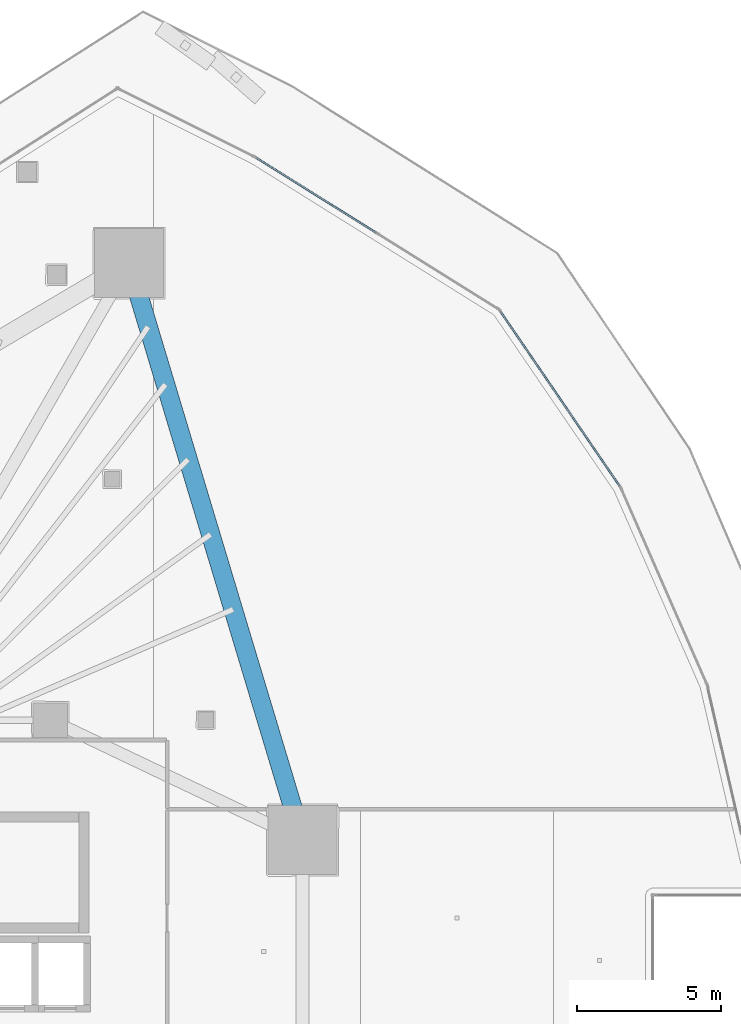
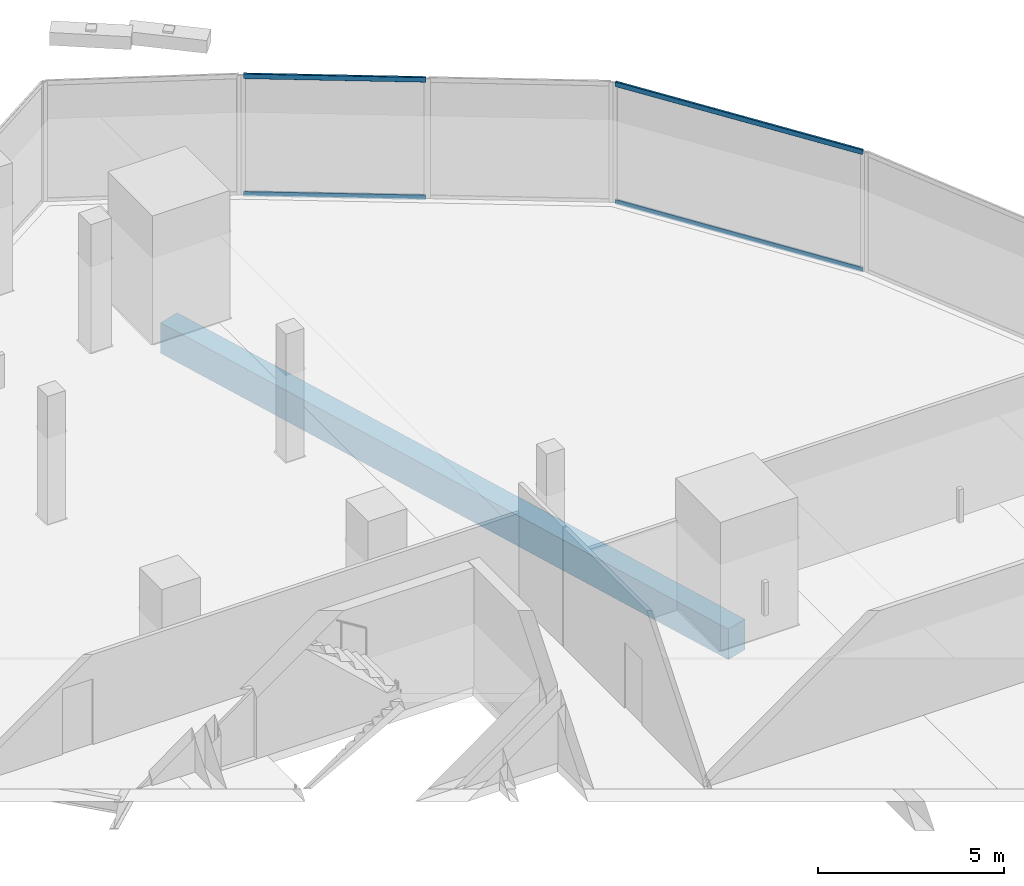
# One storey, part 21 of 44: 4 members, 1 beam, 2 elements without a shape of their own.
"""IFC4 building model written with IfcOpenShell, lengths in metres."""

from ifc_helpers import new_model, si_unit, direction, frame, origin, origin_2d, place, context, subcontext, project, spatial, rectangle, hollow_rectangle, extrude, material, layer, layer_set, material_profile, profile_set, type_object, element, aggregate, save


model = new_model("IFC4")

# Units and contexts
model_context = context("Model", 3, precision=1e-05, world=origin(), true_north=direction((0.0, 1.0)))
body_context = subcontext(model_context, "Body", "Model", "MODEL_VIEW")
ifc_project = project(units=[si_unit("LENGTHUNIT", "METRE"), si_unit("AREAUNIT", "SQUARE_METRE"), si_unit("VOLUMEUNIT", "CUBIC_METRE"), si_unit("PLANEANGLEUNIT", "RADIAN"), si_unit("MASSUNIT", "GRAM", prefix="KILO")], contexts=[model_context])

# Site, building, storey
site_placement = place(None, origin())
site = spatial("IfcSite", under=ifc_project, at=site_placement, CompositionType="ELEMENT")
building_placement = place(site_placement, origin())
building = spatial("IfcBuilding", under=site, at=building_placement, Name="Qorvath Tower", CompositionType="ELEMENT")
storey_placement = place(building_placement, frame((0.0, 0.0, 40.800048828125)))
storey = spatial("IfcBuildingStorey", under=building, at=storey_placement, Name="L08", CompositionType="ELEMENT", Elevation=40.800048828125)

# Beam
ifc_material_1 = material(Name="Concrete C50/60", Category="concrete")
ifc_material_profile_1 = material_profile(ifc_material_1, rectangle(XDim=0.64990234375, YDim=1.0, at=origin_2d()), Name="RCB 1000x650")
ifc_profile_set_1 = profile_set([ifc_material_profile_1], Name="Concrete C50/60")
beam_type = type_object("IfcBeamType", Name="BM-RCB1", PredefinedType="SPANDREL", material=ifc_profile_set_1)
beam_placement = place(storey_placement, frame((-8.430419921875, 7.2763671875, -0.780029296875), z_axis=(-0.288118908799, 0.957594639914, 0.0), x_axis=(-0.957594639914, -0.288118908799, 0.0)))
element("IfcBeam", 1, at=beam_placement, inside=storey, type_object=beam_type, Name="Perimeter Loggia Frame Beam MC5-MC6 L08", PredefinedType="SPANDREL", context=body_context, shape_type="SweptSolid", body=[
    extrude(rectangle(XDim=0.64990234375, YDim=1.0, at=origin_2d()), origin(), (0.0, 0.0, 1.0), 20.942626953125),
])

# Curtain wall, members
ifc_material_2 = material(Name="Anodised aluminium and triple low-E glass", Category="aluminium")
ifc_layer = layer(ifc_material_2, 0.179931640625)
ifc_layer_set = layer_set([ifc_layer], Name="CW-SYS-2")
curtain_wall_type = type_object("IfcCurtainWallType", Name="CW-SYS-2", PredefinedType="NOTDEFINED", material=ifc_layer_set)
curtain_wall_1_placement = place(storey_placement, origin())
curtain_wall_1 = element("IfcCurtainWall", 2, at=curtain_wall_1_placement, inside=storey, type_object=curtain_wall_type, Name="Curtain Wall CW-2 CW-T-L08-13.1", PredefinedType="NOTDEFINED")
ifc_material_3 = material(Name="Anodised aluminium 6063-T6", Category="aluminium")
ifc_material_profile_2 = material_profile(ifc_material_3, hollow_rectangle(XDim=0.06494140625, YDim=0.159912109375, WallThickness=0.00341796875, InnerFilletRadius=0.00341796875, OuterFilletRadius=0.007080078125, at=origin_2d()), Name="CWT 160x65")
ifc_profile_set_2 = profile_set([ifc_material_profile_2], Name="Anodised aluminium 6063-T6")
member_type = type_object("IfcMemberType", Name="CWT-160", PredefinedType="USERDEFINED", material=ifc_profile_set_2)
member_1_placement = place(storey_placement, frame((2.586669921875, 19.5830078125, 0.032470703125), z_axis=(-0.56390431925, 0.825840129039, 0.0), x_axis=(-0.825840129039, -0.56390431925, 0.0)))
member_1 = element("IfcMember", 3, at=member_1_placement, type_object=member_type, Name="CW-2 transom 1.1", ObjectType="TRANSOM", PredefinedType="USERDEFINED", context=body_context, shape_type="SweptSolid", body=[
    extrude(hollow_rectangle(XDim=0.06494140625, YDim=0.159912109375, WallThickness=0.00341796875, InnerFilletRadius=0.00341796875, OuterFilletRadius=0.007080078125, at=origin_2d()), origin(), (0.0, 0.0, 1.0), 7.366943359375),
])
member_2_placement = place(storey_placement, frame((2.586669921875, 19.5830078125, 3.887451171875), z_axis=(-0.56390431925, 0.825840129039, 0.0), x_axis=(-0.825840129039, -0.56390431925, 0.0)))
member_2 = element("IfcMember", 4, at=member_2_placement, type_object=member_type, Name="CW-2 transom 1.2", ObjectType="TRANSOM", PredefinedType="USERDEFINED", context=body_context, shape_type="SweptSolid", body=[
    extrude(hollow_rectangle(XDim=0.06494140625, YDim=0.159912109375, WallThickness=0.00341796875, InnerFilletRadius=0.00341796875, OuterFilletRadius=0.007080078125, at=origin_2d()), origin(), (0.0, 0.0, 1.0), 7.366943359375),
])
aggregate(curtain_wall_1, [member_1, member_2])

curtain_wall_2_placement = place(storey_placement, origin())
curtain_wall_2 = element("IfcCurtainWall", 5, at=curtain_wall_2_placement, inside=storey, type_object=curtain_wall_type, Name="Curtain Wall CW-2 CW-T-L08-14.1", PredefinedType="NOTDEFINED")
member_3_placement = place(storey_placement, frame((-5.87548828125, 28.388427734375, 0.032470703125), z_axis=(-0.848174397851, 0.52971708565, 0.0), x_axis=(-0.52971708565, -0.848174397851, 0.0)))
member_3 = element("IfcMember", 6, at=member_3_placement, type_object=member_type, Name="CW-2 transom 2.1", ObjectType="TRANSOM", PredefinedType="USERDEFINED", context=body_context, shape_type="SweptSolid", body=[
    extrude(hollow_rectangle(XDim=0.06494140625, YDim=0.159912109375, WallThickness=0.00341796875, InnerFilletRadius=0.00341796875, OuterFilletRadius=0.007080078125, at=origin_2d()), origin(), (0.0, 0.0, 1.0), 4.90576171875),
])
member_4_placement = place(storey_placement, frame((-5.87548828125, 28.388427734375, 3.887451171875), z_axis=(-0.848174397851, 0.52971708565, 0.0), x_axis=(-0.52971708565, -0.848174397851, 0.0)))
member_4 = element("IfcMember", 7, at=member_4_placement, type_object=member_type, Name="CW-2 transom 2.2", ObjectType="TRANSOM", PredefinedType="USERDEFINED", context=body_context, shape_type="SweptSolid", body=[
    extrude(hollow_rectangle(XDim=0.06494140625, YDim=0.159912109375, WallThickness=0.00341796875, InnerFilletRadius=0.00341796875, OuterFilletRadius=0.007080078125, at=origin_2d()), origin(), (0.0, 0.0, 1.0), 4.90576171875),
])
aggregate(curtain_wall_2, [member_3, member_4])

save(model, "model.ifc")
